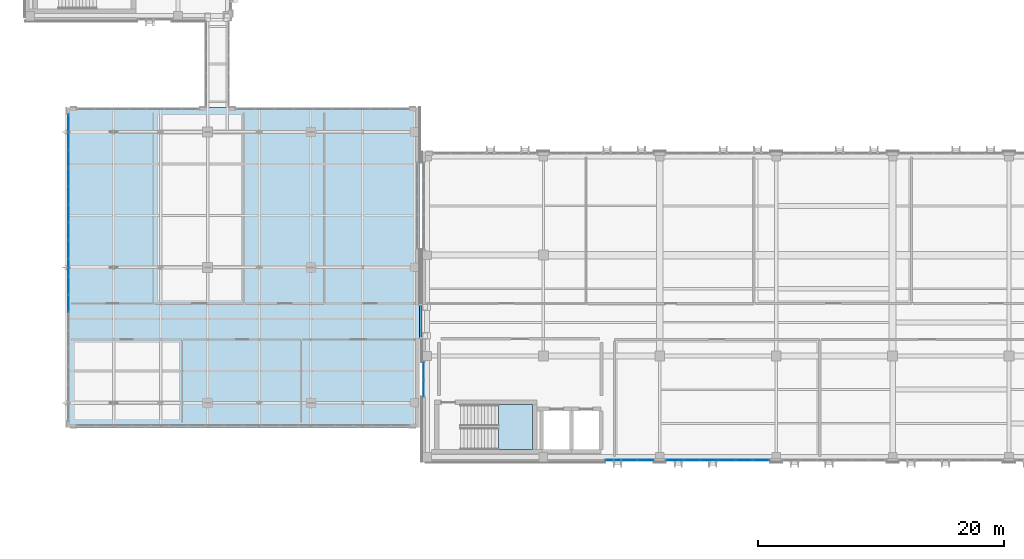
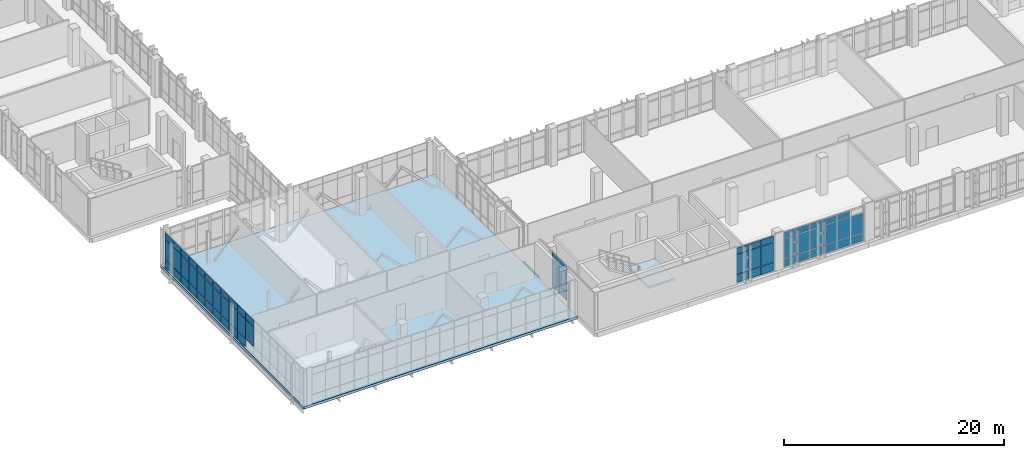
# One storey, part 113 of 165: 64 plates, 3 slabs, 5 elements without a shape of their own.
"""IFC4 building model written with IfcOpenShell, lengths in metres."""

import ifcopenshell
import ifcopenshell.guid

model = None  # the IFC model being written
_history = None  # IfcOwnerHistory: only IFC2X3 demands one
_inside = {}  # id of a spatial element -> (the spatial element, [elements in it])
_under = {}  # id of a project, library or spatial element -> (it, [spatial elements below it])
_declared = {}  # id of a project -> (the project, [libraries it declares])
_typed = {}  # id of a type object -> (the type object, [elements of that type])
_made_of = {}  # id of a material, layer set ... -> (it, [elements and type objects made of it])


def new_model(schema):
    """Start an empty IFC model of exactly this schema.

    Asked for "IFC4X3", IfcOpenShell would pick the latest addendum, in which some entities
    have other attributes; the version numbers below select the first issue.
    IFC2X3 requires an IfcOwnerHistory on every rooted entity: one is made here for all.
    """
    global model, _history
    if schema == "IFC4X3":
        model = ifcopenshell.file(schema_version=(4, 3, 0, 0))
    else:
        model = ifcopenshell.file(schema=schema)
    _inside.clear()
    _under.clear()
    _declared.clear()
    _typed.clear()
    _made_of.clear()
    _history = None
    if model.schema == "IFC2X3":
        org = make("IfcOrganization", Name="unknown")
        user = make(
            "IfcPersonAndOrganization",
            ThePerson=make("IfcPerson", FamilyName="unknown"),
            TheOrganization=org,
        )
        app = make(
            "IfcApplication",
            ApplicationDeveloper=org,
            Version="unknown",
            ApplicationFullName="unknown",
            ApplicationIdentifier="unknown",
        )
        _history = make(
            "IfcOwnerHistory",
            OwningUser=user,
            OwningApplication=app,
            ChangeAction="ADDED",
            CreationDate=0,
        )
    return model


def make(cls, **values):
    """One entity of the class cls with the attributes given. An attribute that is None is left unset."""
    return model.create_entity(
        cls, **{name: value for name, value in values.items() if value is not None}
    )


def rooted(cls, **values):
    """An entity with a GlobalId (a new one), such as an element, a storey or a relation."""
    return make(cls, GlobalId=ifcopenshell.guid.new(), OwnerHistory=_history, **values)


def si_unit(unit_type, name, prefix=None):
    """IfcSIUnit, for example si_unit("LENGTHUNIT", "METRE", prefix="MILLI")."""
    return make("IfcSIUnit", UnitType=unit_type, Prefix=prefix, Name=name)


def assignment(units):
    """IfcUnitAssignment: the units of a project."""
    return None if units is None else make("IfcUnitAssignment", Units=units)


def point(xyz):
    """IfcCartesianPoint."""
    return None if xyz is None else make("IfcCartesianPoint", Coordinates=xyz)


def direction(xyz):
    """IfcDirection."""
    return None if xyz is None else make("IfcDirection", DirectionRatios=xyz)


def frame(location, z_axis=None, x_axis=None):
    """IfcAxis2Placement3D, a coordinate frame: its origin and axes. An axis left out is left unset."""
    return make(
        "IfcAxis2Placement3D",
        Location=point(location),
        Axis=direction(z_axis),
        RefDirection=direction(x_axis),
    )


def frame_2d(location, x_axis=None):
    """IfcAxis2Placement2D, a coordinate frame in the plane: its origin and x axis."""
    return make(
        "IfcAxis2Placement2D", Location=point(location), RefDirection=direction(x_axis)
    )


def origin():
    """The frame at (0, 0, 0) with its axes left unset."""
    return frame((0.0, 0.0, 0.0))


def origin_2d():
    """The frame at (0, 0) in the plane with its x axis left unset."""
    return frame_2d((0.0, 0.0))


def place(relative_to, where):
    """IfcLocalPlacement: puts the frame where relative to a parent placement (None: the world)."""
    return make(
        "IfcLocalPlacement", PlacementRelTo=relative_to, RelativePlacement=where
    )


def context(
    kind, dimensions, precision=None, world=None, true_north=None, identifier=None
):
    """IfcGeometricRepresentationContext, for example the 3D "Model" context."""
    return make(
        "IfcGeometricRepresentationContext",
        ContextIdentifier=identifier,
        ContextType=kind,
        CoordinateSpaceDimension=dimensions,
        Precision=precision,
        WorldCoordinateSystem=world,
        TrueNorth=true_north,
    )


def subcontext(parent, identifier, kind, view, scale=None):
    """IfcGeometricRepresentationSubContext, for example "Body" below "Model"."""
    return make(
        "IfcGeometricRepresentationSubContext",
        ContextIdentifier=identifier,
        ContextType=kind,
        ParentContext=parent,
        TargetScale=scale,
        TargetView=view,
    )


def project(units=None, contexts=None):
    """IfcProject with its units and contexts."""
    return rooted(
        "IfcProject",
        Name="project",
        RepresentationContexts=contexts,
        UnitsInContext=assignment(units),
    )


def spatial(cls, under=None, at=None, **own):
    """A site, building, storey or space (cls), placed at a placement, below another one or the project."""
    s = rooted(cls, ObjectPlacement=at, **own)
    if under is not None:
        _under.setdefault(under.id(), (under, []))[1].append(s)
    return s


def polyline(points):
    """IfcPolyline through the points."""
    return make("IfcPolyline", Points=[point(p) for p in points])


def profile(cls, at=None, kind="AREA", **sizes):
    """A parametric profile (cls). Its sizes go by their IFC names, for example OverallWidth=200.0."""
    return make(cls, ProfileType=kind, Position=at, **sizes)


def rectangle(**sizes):
    """IfcRectangleProfileDef."""
    return profile("IfcRectangleProfileDef", **sizes)


def outline(outer, holes=None, kind="AREA"):
    """IfcArbitraryClosedProfileDef: a profile drawn as a closed curve; with holes, ...WithVoids."""
    if holes is None:
        return make("IfcArbitraryClosedProfileDef", ProfileType=kind, OuterCurve=outer)
    return make(
        "IfcArbitraryProfileDefWithVoids",
        ProfileType=kind,
        OuterCurve=outer,
        InnerCurves=holes,
    )


def extrude(swept, where, along, depth):
    """IfcExtrudedAreaSolid: the profile swept, set in the frame where, extruded along a direction by depth."""
    return make(
        "IfcExtrudedAreaSolid",
        SweptArea=swept,
        Position=where,
        ExtrudedDirection=direction(along),
        Depth=depth,
    )


def shape(context_of_items, identifier, shape_type, items):
    """IfcShapeRepresentation: the items that make up one representation, for example the "Body"."""
    return make(
        "IfcShapeRepresentation",
        ContextOfItems=context_of_items,
        RepresentationIdentifier=identifier,
        RepresentationType=shape_type,
        Items=items,
    )


def material(Name=None, Category=None):
    """IfcMaterial."""
    return make("IfcMaterial", Name=Name, Category=Category)


def layer(
    of_material, thickness, ventilated=None, Name=None, Category=None, Priority=None
):
    """IfcMaterialLayer: one layer of a wall or slab, of a material (None: an air gap)."""
    return make(
        "IfcMaterialLayer",
        Material=of_material,
        LayerThickness=thickness,
        IsVentilated=ventilated,
        Name=Name,
        Category=Category,
        Priority=Priority,
    )


def layer_set(layers, Name=None):
    """IfcMaterialLayerSet."""
    return make("IfcMaterialLayerSet", MaterialLayers=layers, LayerSetName=Name)


def made_of(thing, what):
    """Note that an element or type object is made of a material, layer set ...; save() writes the relation."""
    if what is not None:
        _made_of.setdefault(what.id(), (what, []))[1].append(thing)
    return thing


def type_object(cls, material=None, **own):
    """A type object (cls), such as IfcWallType, which elements share."""
    return made_of(rooted(cls, **own), material)


def element(
    cls,
    number,
    at=None,
    inside=None,
    cuts=None,
    type_object=None,
    material=None,
    context=None,
    identifier="Body",
    shape_type=None,
    held_by="IfcProductDefinitionShape",
    body=None,
    shapes=None,
    **own,
):
    """One element of the class cls, such as IfcWall. Its Tag is "e" and its number.

    at: its placement. inside: the storey or other place that contains it. cuts: it is an
    opening in that element (IfcRelVoidsElement). A single representation is given by context,
    identifier, shape_type and body (its items); several are given by shapes. held_by: the class
    of the entity that holds the representations. save() writes the other relations.
    """
    e = rooted(cls, Tag="e%d" % number, ObjectPlacement=at, **own)
    if body is not None:
        shapes = [shape(context, identifier, shape_type, body)]
    if shapes is not None:
        e.Representation = make(held_by, Representations=shapes)
    if inside is not None:
        _inside.setdefault(inside.id(), (inside, []))[1].append(e)
    if cuts is not None:
        rooted(
            "IfcRelVoidsElement", RelatingBuildingElement=cuts, RelatedOpeningElement=e
        )
    if type_object is not None:
        _typed.setdefault(type_object.id(), (type_object, []))[1].append(e)
    return made_of(e, material)


def aggregate(whole, parts):
    """IfcRelAggregates: a whole, such as a stair, and the parts it consists of."""
    return rooted("IfcRelAggregates", RelatingObject=whole, RelatedObjects=parts)


def save(model, path):
    """Write the relations noted so far, then the file.

    IfcRelAggregates (storeys below a building ...), IfcRelContainedInSpatialStructure (elements
    in a storey), IfcRelDefinesByType, IfcRelAssociatesMaterial and IfcRelDeclares: one each for
    every whole, place, type object, material and project.
    """
    for whole, parts in _under.values():
        aggregate(whole, parts)
    for where, things in _inside.values():
        rooted(
            "IfcRelContainedInSpatialStructure",
            RelatedElements=things,
            RelatingStructure=where,
        )
    for kind, things in _typed.values():
        rooted("IfcRelDefinesByType", RelatedObjects=things, RelatingType=kind)
    for what, things in _made_of.values():
        rooted("IfcRelAssociatesMaterial", RelatedObjects=things, RelatingMaterial=what)
    for by, libraries in _declared.values():
        rooted("IfcRelDeclares", RelatingContext=by, RelatedDefinitions=libraries)
    model.write(path)


model = new_model("IFC4")

# Units and contexts
model_context = context("Model", 3, precision=1e-05, world=origin(), true_north=direction((0.0, 1.0)))
body_context = subcontext(model_context, "Body", "Model", "MODEL_VIEW")
ifc_project = project(units=[si_unit("LENGTHUNIT", "METRE"), si_unit("AREAUNIT", "SQUARE_METRE"), si_unit("VOLUMEUNIT", "CUBIC_METRE"), si_unit("PLANEANGLEUNIT", "RADIAN"), si_unit("MASSUNIT", "GRAM", prefix="KILO")], contexts=[model_context])

# Site, building, storey
site_placement = place(None, origin())
site = spatial("IfcSite", under=ifc_project, at=site_placement, CompositionType="ELEMENT")
building_placement = place(site_placement, origin())
building = spatial("IfcBuilding", under=site, at=building_placement, Name="Qalavern Law Courts", CompositionType="ELEMENT")
storey_placement = place(building_placement, frame((0.0, 0.0, 14.39990234375)))
storey = spatial("IfcBuildingStorey", under=building, at=storey_placement, Name="L03", CompositionType="ELEMENT", Elevation=14.39990234375)

# Curtain wall, plates
ifc_material_1 = material(Name="Anodised aluminium and insulated glazing", Category="aluminium")
ifc_layer_1 = layer(ifc_material_1, 0.18505859375)
ifc_layer_set_1 = layer_set([ifc_layer_1], Name="Anodised aluminium and insulated glazing")
curtain_wall_type_1 = type_object("IfcCurtainWallType", Name="ENV-CW-HALL", PredefinedType="USERDEFINED", material=ifc_layer_set_1)
curtain_wall_1_placement = place(storey_placement, origin())
curtain_wall_1 = element("IfcCurtainWall", 1, at=curtain_wall_1_placement, inside=storey, type_object=curtain_wall_type_1, Name="V2 unitised curtain wall L03 south 2", ObjectType="UNITISED CURTAIN WALL", PredefinedType="USERDEFINED")
ifc_material_2 = material(Name="Insulated low-E acoustic glazing", Category="glass")
ifc_layer_2 = layer(ifc_material_2, 0.02392578125)
ifc_layer_set_2 = layer_set([ifc_layer_2], Name="Insulated low-E acoustic glazing")
plate_type_1 = type_object("IfcPlateType", Name="ENV-CWP-24", PredefinedType="CURTAIN_PANEL", material=ifc_layer_set_2)
plate_1_placement = place(storey_placement, frame((54.7451171875, 5.347412109375, 0.048095703125), z_axis=(0.0, 0.0, 1.0), x_axis=(1.0, 0.0, 0.0)))
plate_1 = element("IfcPlate", 2, at=plate_1_placement, type_object=plate_type_1, Name="CW-02 panel 1.1", PredefinedType="CURTAIN_PANEL", context=body_context, shape_type="SweptSolid", body=[
    extrude(rectangle(XDim=1.337158203125, YDim=0.02392578125, at=origin_2d()), origin(), (0.0, 0.0, 1.0), 0.8779296875),
])
plate_2_placement = place(storey_placement, frame((54.7451171875, 5.347412109375, 0.97412109375), z_axis=(0.0, 0.0, 1.0), x_axis=(1.0, 0.0, 0.0)))
plate_2 = element("IfcPlate", 3, at=plate_2_placement, type_object=plate_type_1, Name="CW-02 panel 1.2", PredefinedType="CURTAIN_PANEL", context=body_context, shape_type="SweptSolid", body=[
    extrude(rectangle(XDim=1.337158203125, YDim=0.02392578125, at=origin_2d()), origin(), (0.0, 0.0, 1.0), 2.172119140625),
])
plate_3_placement = place(storey_placement, frame((54.7451171875, 5.347412109375, 3.1943359375), z_axis=(0.0, 0.0, 1.0), x_axis=(1.0, 0.0, 0.0)))
plate_3 = element("IfcPlate", 4, at=plate_3_placement, type_object=plate_type_1, Name="CW-02 panel 1.3", PredefinedType="CURTAIN_PANEL", context=body_context, shape_type="SweptSolid", body=[
    extrude(rectangle(XDim=1.337158203125, YDim=0.02392578125, at=origin_2d()), origin(), (0.0, 0.0, 1.0), 0.677978515625),
])
plate_4_placement = place(storey_placement, frame((56.14208984375, 5.347412109375, 0.048095703125), z_axis=(0.0, 0.0, 1.0), x_axis=(1.0, 0.0, 0.0)))
plate_4 = element("IfcPlate", 5, at=plate_4_placement, type_object=plate_type_1, Name="CW-02 panel 2.1", PredefinedType="CURTAIN_PANEL", context=body_context, shape_type="SweptSolid", body=[
    extrude(rectangle(XDim=1.361083984375, YDim=0.02392578125, at=origin_2d()), origin(), (0.0, 0.0, 1.0), 0.8779296875),
])
plate_5_placement = place(storey_placement, frame((56.14208984375, 5.347412109375, 0.97412109375), z_axis=(0.0, 0.0, 1.0), x_axis=(1.0, 0.0, 0.0)))
plate_5 = element("IfcPlate", 6, at=plate_5_placement, type_object=plate_type_1, Name="CW-02 panel 2.2", PredefinedType="CURTAIN_PANEL", context=body_context, shape_type="SweptSolid", body=[
    extrude(rectangle(XDim=1.361083984375, YDim=0.02392578125, at=origin_2d()), origin(), (0.0, 0.0, 1.0), 2.172119140625),
])
plate_6_placement = place(storey_placement, frame((56.14208984375, 5.347412109375, 3.1943359375), z_axis=(0.0, 0.0, 1.0), x_axis=(1.0, 0.0, 0.0)))
plate_6 = element("IfcPlate", 7, at=plate_6_placement, type_object=plate_type_1, Name="CW-02 panel 2.3", PredefinedType="CURTAIN_PANEL", context=body_context, shape_type="SweptSolid", body=[
    extrude(rectangle(XDim=1.361083984375, YDim=0.02392578125, at=origin_2d()), origin(), (0.0, 0.0, 1.0), 0.677978515625),
])
plate_7_placement = place(storey_placement, frame((57.55126953125, 5.347412109375, 0.048095703125), z_axis=(0.0, 0.0, 1.0), x_axis=(1.0, 0.0, 0.0)))
plate_7 = element("IfcPlate", 8, at=plate_7_placement, type_object=plate_type_1, Name="CW-02 panel 3.1", PredefinedType="CURTAIN_PANEL", context=body_context, shape_type="SweptSolid", body=[
    extrude(rectangle(XDim=1.361083984375, YDim=0.02392578125, at=origin_2d()), origin(), (0.0, 0.0, 1.0), 0.8779296875),
])
plate_8_placement = place(storey_placement, frame((57.55126953125, 5.347412109375, 0.97412109375), z_axis=(0.0, 0.0, 1.0), x_axis=(1.0, 0.0, 0.0)))
plate_8 = element("IfcPlate", 9, at=plate_8_placement, type_object=plate_type_1, Name="CW-02 panel 3.2", PredefinedType="CURTAIN_PANEL", context=body_context, shape_type="SweptSolid", body=[
    extrude(rectangle(XDim=1.361083984375, YDim=0.02392578125, at=origin_2d()), origin(), (0.0, 0.0, 1.0), 2.172119140625),
])
plate_9_placement = place(storey_placement, frame((57.55126953125, 5.347412109375, 3.1943359375), z_axis=(0.0, 0.0, 1.0), x_axis=(1.0, 0.0, 0.0)))
plate_9 = element("IfcPlate", 10, at=plate_9_placement, type_object=plate_type_1, Name="CW-02 panel 3.3", PredefinedType="CURTAIN_PANEL", context=body_context, shape_type="SweptSolid", body=[
    extrude(rectangle(XDim=1.361083984375, YDim=0.02392578125, at=origin_2d()), origin(), (0.0, 0.0, 1.0), 0.677978515625),
])
plate_10_placement = place(storey_placement, frame((58.960205078125, 5.347412109375, 0.048095703125), z_axis=(0.0, 0.0, 1.0), x_axis=(1.0, 0.0, 0.0)))
plate_10 = element("IfcPlate", 11, at=plate_10_placement, type_object=plate_type_1, Name="CW-02 panel 4.1", PredefinedType="CURTAIN_PANEL", context=body_context, shape_type="SweptSolid", body=[
    extrude(rectangle(XDim=1.361083984375, YDim=0.02392578125, at=origin_2d()), origin(), (0.0, 0.0, 1.0), 0.8779296875),
])
plate_11_placement = place(storey_placement, frame((58.960205078125, 5.347412109375, 0.97412109375), z_axis=(0.0, 0.0, 1.0), x_axis=(1.0, 0.0, 0.0)))
plate_11 = element("IfcPlate", 12, at=plate_11_placement, type_object=plate_type_1, Name="CW-02 panel 4.2", PredefinedType="CURTAIN_PANEL", context=body_context, shape_type="SweptSolid", body=[
    extrude(rectangle(XDim=1.361083984375, YDim=0.02392578125, at=origin_2d()), origin(), (0.0, 0.0, 1.0), 2.172119140625),
])
plate_12_placement = place(storey_placement, frame((58.960205078125, 5.347412109375, 3.1943359375), z_axis=(0.0, 0.0, 1.0), x_axis=(1.0, 0.0, 0.0)))
plate_12 = element("IfcPlate", 13, at=plate_12_placement, type_object=plate_type_1, Name="CW-02 panel 4.3", PredefinedType="CURTAIN_PANEL", context=body_context, shape_type="SweptSolid", body=[
    extrude(rectangle(XDim=1.361083984375, YDim=0.02392578125, at=origin_2d()), origin(), (0.0, 0.0, 1.0), 0.677978515625),
])
plate_13_placement = place(storey_placement, frame((60.369384765625, 5.347412109375, 0.048095703125), z_axis=(0.0, 0.0, 1.0), x_axis=(1.0, 0.0, 0.0)))
plate_13 = element("IfcPlate", 14, at=plate_13_placement, type_object=plate_type_1, Name="CW-02 panel 5.1", PredefinedType="CURTAIN_PANEL", context=body_context, shape_type="SweptSolid", body=[
    extrude(rectangle(XDim=1.361083984375, YDim=0.02392578125, at=origin_2d()), origin(), (0.0, 0.0, 1.0), 0.8779296875),
])
plate_14_placement = place(storey_placement, frame((60.369384765625, 5.347412109375, 0.97412109375), z_axis=(0.0, 0.0, 1.0), x_axis=(1.0, 0.0, 0.0)))
plate_14 = element("IfcPlate", 15, at=plate_14_placement, type_object=plate_type_1, Name="CW-02 panel 5.2", PredefinedType="CURTAIN_PANEL", context=body_context, shape_type="SweptSolid", body=[
    extrude(rectangle(XDim=1.361083984375, YDim=0.02392578125, at=origin_2d()), origin(), (0.0, 0.0, 1.0), 2.172119140625),
])
plate_15_placement = place(storey_placement, frame((60.369384765625, 5.347412109375, 3.1943359375), z_axis=(0.0, 0.0, 1.0), x_axis=(1.0, 0.0, 0.0)))
plate_15 = element("IfcPlate", 16, at=plate_15_placement, type_object=plate_type_1, Name="CW-02 panel 5.3", PredefinedType="CURTAIN_PANEL", context=body_context, shape_type="SweptSolid", body=[
    extrude(rectangle(XDim=1.361083984375, YDim=0.02392578125, at=origin_2d()), origin(), (0.0, 0.0, 1.0), 0.677978515625),
])
plate_16_placement = place(storey_placement, frame((61.766357421875, 5.347412109375, 0.048095703125), z_axis=(0.0, 0.0, 1.0), x_axis=(1.0, 0.0, 0.0)))
plate_16 = element("IfcPlate", 17, at=plate_16_placement, type_object=plate_type_1, Name="CW-02 panel 6.1", PredefinedType="CURTAIN_PANEL", context=body_context, shape_type="SweptSolid", body=[
    extrude(rectangle(XDim=1.337158203125, YDim=0.02392578125, at=origin_2d()), origin(), (0.0, 0.0, 1.0), 0.8779296875),
])
plate_17_placement = place(storey_placement, frame((61.766357421875, 5.347412109375, 0.97412109375), z_axis=(0.0, 0.0, 1.0), x_axis=(1.0, 0.0, 0.0)))
plate_17 = element("IfcPlate", 18, at=plate_17_placement, type_object=plate_type_1, Name="CW-02 panel 6.2", PredefinedType="CURTAIN_PANEL", context=body_context, shape_type="SweptSolid", body=[
    extrude(rectangle(XDim=1.337158203125, YDim=0.02392578125, at=origin_2d()), origin(), (0.0, 0.0, 1.0), 2.172119140625),
])
aggregate(curtain_wall_1, [plate_1, plate_2, plate_3, plate_4, plate_5, plate_6, plate_7, plate_8, plate_9, plate_10, plate_11, plate_12, plate_13, plate_14, plate_15, plate_16, plate_17])

curtain_wall_2_placement = place(storey_placement, origin())
curtain_wall_2 = element("IfcCurtainWall", 19, at=curtain_wall_2_placement, inside=storey, type_object=curtain_wall_type_1, Name="V2 unitised curtain wall L03 west 1", ObjectType="UNITISED CURTAIN WALL", PredefinedType="USERDEFINED")
plate_18_placement = place(storey_placement, frame((34.367431640625, 12.587890625, 0.048095703125), z_axis=(0.0, 0.0, 1.0), x_axis=(0.0, -1.0, 0.0)))
plate_18 = element("IfcPlate", 20, at=plate_18_placement, type_object=plate_type_1, Name="CW-02 panel 1.1", PredefinedType="CURTAIN_PANEL", context=body_context, shape_type="SweptSolid", body=[
    extrude(rectangle(XDim=1.327880859375, YDim=0.02392578125, at=origin_2d()), origin(), (0.0, 0.0, 1.0), 0.8779296875),
])
plate_19_placement = place(storey_placement, frame((34.367431640625, 12.587890625, 0.97412109375), z_axis=(0.0, 0.0, 1.0), x_axis=(0.0, -1.0, 0.0)))
plate_19 = element("IfcPlate", 21, at=plate_19_placement, type_object=plate_type_1, Name="CW-02 panel 1.2", PredefinedType="CURTAIN_PANEL", context=body_context, shape_type="SweptSolid", body=[
    extrude(rectangle(XDim=1.327880859375, YDim=0.02392578125, at=origin_2d()), origin(), (0.0, 0.0, 1.0), 2.172119140625),
])
plate_20_placement = place(storey_placement, frame((34.367431640625, 12.587890625, 3.1943359375), z_axis=(0.0, 0.0, 1.0), x_axis=(0.0, -1.0, 0.0)))
plate_20 = element("IfcPlate", 22, at=plate_20_placement, type_object=plate_type_1, Name="CW-02 panel 1.3", PredefinedType="CURTAIN_PANEL", context=body_context, shape_type="SweptSolid", body=[
    extrude(rectangle(XDim=1.327880859375, YDim=0.02392578125, at=origin_2d()), origin(), (0.0, 0.0, 1.0), 0.677978515625),
])
plate_21_placement = place(storey_placement, frame((34.367431640625, 11.2119140625, 0.048095703125), z_axis=(0.0, 0.0, 1.0), x_axis=(0.0, -1.0, 0.0)))
plate_21 = element("IfcPlate", 23, at=plate_21_placement, type_object=plate_type_1, Name="CW-02 panel 2.1", PredefinedType="CURTAIN_PANEL", context=body_context, shape_type="SweptSolid", body=[
    extrude(rectangle(XDim=1.327880859375, YDim=0.02392578125, at=origin_2d()), origin(), (0.0, 0.0, 1.0), 0.8779296875),
])
plate_22_placement = place(storey_placement, frame((34.367431640625, 11.2119140625, 0.97412109375), z_axis=(0.0, 0.0, 1.0), x_axis=(0.0, -1.0, 0.0)))
plate_22 = element("IfcPlate", 24, at=plate_22_placement, type_object=plate_type_1, Name="CW-02 panel 2.2", PredefinedType="CURTAIN_PANEL", context=body_context, shape_type="SweptSolid", body=[
    extrude(rectangle(XDim=1.327880859375, YDim=0.02392578125, at=origin_2d()), origin(), (0.0, 0.0, 1.0), 2.172119140625),
])
plate_23_placement = place(storey_placement, frame((34.367431640625, 11.2119140625, 3.1943359375), z_axis=(0.0, 0.0, 1.0), x_axis=(0.0, -1.0, 0.0)))
plate_23 = element("IfcPlate", 25, at=plate_23_placement, type_object=plate_type_1, Name="CW-02 panel 2.3", PredefinedType="CURTAIN_PANEL", context=body_context, shape_type="SweptSolid", body=[
    extrude(rectangle(XDim=1.327880859375, YDim=0.02392578125, at=origin_2d()), origin(), (0.0, 0.0, 1.0), 0.677978515625),
])
aggregate(curtain_wall_2, [plate_18, plate_19, plate_20, plate_21, plate_22, plate_23])

ifc_layer_3 = layer(ifc_material_1, 0.199951171875)
ifc_layer_set_3 = layer_set([ifc_layer_3], Name="Anodised aluminium and insulated glazing")
curtain_wall_type_2 = type_object("IfcCurtainWallType", Name="ENV-CW-FOYER", PredefinedType="USERDEFINED", material=ifc_layer_set_3)
curtain_wall_3_placement = place(storey_placement, origin())
curtain_wall_3 = element("IfcCurtainWall", 26, at=curtain_wall_3_placement, inside=storey, type_object=curtain_wall_type_2, Name="V1 unitised curtain wall L03 west 1", ObjectType="UNITISED CURTAIN WALL", PredefinedType="USERDEFINED")
ifc_layer_4 = layer(ifc_material_2, 0.052001953125)
ifc_layer_set_4 = layer_set([ifc_layer_4], Name="Insulated low-E acoustic glazing")
plate_type_2 = type_object("IfcPlateType", Name="ENV-CWP-52", PredefinedType="CURTAIN_PANEL", material=ifc_layer_set_4)
plate_24_placement = place(storey_placement, frame((5.49755859375, 32.70556640625, 0.048095703125), z_axis=(0.0, 0.0, 1.0), x_axis=(0.0, -1.0, 0.0)))
plate_24 = element("IfcPlate", 27, at=plate_24_placement, type_object=plate_type_2, Name="CW-01 panel 1.1", PredefinedType="CURTAIN_PANEL", context=body_context, shape_type="SweptSolid", body=[
    extrude(rectangle(XDim=1.392822265625, YDim=0.052001953125, at=origin_2d()), origin(), (0.0, 0.0, 1.0), 0.8779296875),
])
plate_25_placement = place(storey_placement, frame((5.49755859375, 32.70556640625, 0.97412109375), z_axis=(0.0, 0.0, 1.0), x_axis=(0.0, -1.0, 0.0)))
plate_25 = element("IfcPlate", 28, at=plate_25_placement, type_object=plate_type_2, Name="CW-01 panel 1.2", PredefinedType="CURTAIN_PANEL", context=body_context, shape_type="SweptSolid", body=[
    extrude(rectangle(XDim=1.392822265625, YDim=0.052001953125, at=origin_2d()), origin(), (0.0, 0.0, 1.0), 2.172119140625),
])
plate_26_placement = place(storey_placement, frame((5.49755859375, 32.70556640625, 3.1943359375), z_axis=(0.0, 0.0, 1.0), x_axis=(0.0, -1.0, 0.0)))
plate_26 = element("IfcPlate", 29, at=plate_26_placement, type_object=plate_type_2, Name="CW-01 panel 1.3", PredefinedType="CURTAIN_PANEL", context=body_context, shape_type="SweptSolid", body=[
    extrude(rectangle(XDim=1.392822265625, YDim=0.052001953125, at=origin_2d()), origin(), (0.0, 0.0, 1.0), 0.677978515625),
])
plate_27_placement = place(storey_placement, frame((5.49755859375, 31.2529296875, 0.048095703125), z_axis=(0.0, 0.0, 1.0), x_axis=(0.0, -1.0, 0.0)))
plate_27 = element("IfcPlate", 30, at=plate_27_placement, type_object=plate_type_2, Name="CW-01 panel 2.1", PredefinedType="CURTAIN_PANEL", context=body_context, shape_type="SweptSolid", body=[
    extrude(rectangle(XDim=1.416748046875, YDim=0.052001953125, at=origin_2d()), origin(), (0.0, 0.0, 1.0), 0.8779296875),
])
plate_28_placement = place(storey_placement, frame((5.49755859375, 31.2529296875, 0.97412109375), z_axis=(0.0, 0.0, 1.0), x_axis=(0.0, -1.0, 0.0)))
plate_28 = element("IfcPlate", 31, at=plate_28_placement, type_object=plate_type_2, Name="CW-01 panel 2.2", PredefinedType="CURTAIN_PANEL", context=body_context, shape_type="SweptSolid", body=[
    extrude(rectangle(XDim=1.416748046875, YDim=0.052001953125, at=origin_2d()), origin(), (0.0, 0.0, 1.0), 2.172119140625),
])
plate_29_placement = place(storey_placement, frame((5.49755859375, 31.2529296875, 3.1943359375), z_axis=(0.0, 0.0, 1.0), x_axis=(0.0, -1.0, 0.0)))
plate_29 = element("IfcPlate", 32, at=plate_29_placement, type_object=plate_type_2, Name="CW-01 panel 2.3", PredefinedType="CURTAIN_PANEL", context=body_context, shape_type="SweptSolid", body=[
    extrude(rectangle(XDim=1.416748046875, YDim=0.052001953125, at=origin_2d()), origin(), (0.0, 0.0, 1.0), 0.677978515625),
])
plate_30_placement = place(storey_placement, frame((5.49755859375, 29.788330078125, 0.048095703125), z_axis=(0.0, 0.0, 1.0), x_axis=(0.0, -1.0, 0.0)))
plate_30 = element("IfcPlate", 33, at=plate_30_placement, type_object=plate_type_2, Name="CW-01 panel 3.1", PredefinedType="CURTAIN_PANEL", context=body_context, shape_type="SweptSolid", body=[
    extrude(rectangle(XDim=1.416748046875, YDim=0.052001953125, at=origin_2d()), origin(), (0.0, 0.0, 1.0), 0.8779296875),
])
plate_31_placement = place(storey_placement, frame((5.49755859375, 29.788330078125, 0.97412109375), z_axis=(0.0, 0.0, 1.0), x_axis=(0.0, -1.0, 0.0)))
plate_31 = element("IfcPlate", 34, at=plate_31_placement, type_object=plate_type_2, Name="CW-01 panel 3.2", PredefinedType="CURTAIN_PANEL", context=body_context, shape_type="SweptSolid", body=[
    extrude(rectangle(XDim=1.416748046875, YDim=0.052001953125, at=origin_2d()), origin(), (0.0, 0.0, 1.0), 2.172119140625),
])
plate_32_placement = place(storey_placement, frame((5.49755859375, 29.788330078125, 3.1943359375), z_axis=(0.0, 0.0, 1.0), x_axis=(0.0, -1.0, 0.0)))
plate_32 = element("IfcPlate", 35, at=plate_32_placement, type_object=plate_type_2, Name="CW-01 panel 3.3", PredefinedType="CURTAIN_PANEL", context=body_context, shape_type="SweptSolid", body=[
    extrude(rectangle(XDim=1.416748046875, YDim=0.052001953125, at=origin_2d()), origin(), (0.0, 0.0, 1.0), 0.677978515625),
])
plate_33_placement = place(storey_placement, frame((5.49755859375, 28.323486328125, 0.048095703125), z_axis=(0.0, 0.0, 1.0), x_axis=(0.0, -1.0, 0.0)))
plate_33 = element("IfcPlate", 36, at=plate_33_placement, type_object=plate_type_2, Name="CW-01 panel 4.1", PredefinedType="CURTAIN_PANEL", context=body_context, shape_type="SweptSolid", body=[
    extrude(rectangle(XDim=1.416748046875, YDim=0.052001953125, at=origin_2d()), origin(), (0.0, 0.0, 1.0), 0.8779296875),
])
plate_34_placement = place(storey_placement, frame((5.49755859375, 28.323486328125, 0.97412109375), z_axis=(0.0, 0.0, 1.0), x_axis=(0.0, -1.0, 0.0)))
plate_34 = element("IfcPlate", 37, at=plate_34_placement, type_object=plate_type_2, Name="CW-01 panel 4.2", PredefinedType="CURTAIN_PANEL", context=body_context, shape_type="SweptSolid", body=[
    extrude(rectangle(XDim=1.416748046875, YDim=0.052001953125, at=origin_2d()), origin(), (0.0, 0.0, 1.0), 2.172119140625),
])
plate_35_placement = place(storey_placement, frame((5.49755859375, 28.323486328125, 3.1943359375), z_axis=(0.0, 0.0, 1.0), x_axis=(0.0, -1.0, 0.0)))
plate_35 = element("IfcPlate", 38, at=plate_35_placement, type_object=plate_type_2, Name="CW-01 panel 4.3", PredefinedType="CURTAIN_PANEL", context=body_context, shape_type="SweptSolid", body=[
    extrude(rectangle(XDim=1.416748046875, YDim=0.052001953125, at=origin_2d()), origin(), (0.0, 0.0, 1.0), 0.677978515625),
])
plate_36_placement = place(storey_placement, frame((5.49755859375, 26.85888671875, 0.048095703125), z_axis=(0.0, 0.0, 1.0), x_axis=(0.0, -1.0, 0.0)))
plate_36 = element("IfcPlate", 39, at=plate_36_placement, type_object=plate_type_2, Name="CW-01 panel 5.1", PredefinedType="CURTAIN_PANEL", context=body_context, shape_type="SweptSolid", body=[
    extrude(rectangle(XDim=1.416748046875, YDim=0.052001953125, at=origin_2d()), origin(), (0.0, 0.0, 1.0), 0.8779296875),
])
plate_37_placement = place(storey_placement, frame((5.49755859375, 26.85888671875, 0.97412109375), z_axis=(0.0, 0.0, 1.0), x_axis=(0.0, -1.0, 0.0)))
plate_37 = element("IfcPlate", 40, at=plate_37_placement, type_object=plate_type_2, Name="CW-01 panel 5.2", PredefinedType="CURTAIN_PANEL", context=body_context, shape_type="SweptSolid", body=[
    extrude(rectangle(XDim=1.416748046875, YDim=0.052001953125, at=origin_2d()), origin(), (0.0, 0.0, 1.0), 2.172119140625),
])
plate_38_placement = place(storey_placement, frame((5.49755859375, 26.85888671875, 3.1943359375), z_axis=(0.0, 0.0, 1.0), x_axis=(0.0, -1.0, 0.0)))
plate_38 = element("IfcPlate", 41, at=plate_38_placement, type_object=plate_type_2, Name="CW-01 panel 5.3", PredefinedType="CURTAIN_PANEL", context=body_context, shape_type="SweptSolid", body=[
    extrude(rectangle(XDim=1.416748046875, YDim=0.052001953125, at=origin_2d()), origin(), (0.0, 0.0, 1.0), 0.677978515625),
])
plate_39_placement = place(storey_placement, frame((5.49755859375, 25.39404296875, 0.048095703125), z_axis=(0.0, 0.0, 1.0), x_axis=(0.0, -1.0, 0.0)))
plate_39 = element("IfcPlate", 42, at=plate_39_placement, type_object=plate_type_2, Name="CW-01 panel 6.1", PredefinedType="CURTAIN_PANEL", context=body_context, shape_type="SweptSolid", body=[
    extrude(rectangle(XDim=1.416748046875, YDim=0.052001953125, at=origin_2d()), origin(), (0.0, 0.0, 1.0), 0.8779296875),
])
plate_40_placement = place(storey_placement, frame((5.49755859375, 25.39404296875, 0.97412109375), z_axis=(0.0, 0.0, 1.0), x_axis=(0.0, -1.0, 0.0)))
plate_40 = element("IfcPlate", 43, at=plate_40_placement, type_object=plate_type_2, Name="CW-01 panel 6.2", PredefinedType="CURTAIN_PANEL", context=body_context, shape_type="SweptSolid", body=[
    extrude(rectangle(XDim=1.416748046875, YDim=0.052001953125, at=origin_2d()), origin(), (0.0, 0.0, 1.0), 2.172119140625),
])
plate_41_placement = place(storey_placement, frame((5.49755859375, 25.39404296875, 3.1943359375), z_axis=(0.0, 0.0, 1.0), x_axis=(0.0, -1.0, 0.0)))
plate_41 = element("IfcPlate", 44, at=plate_41_placement, type_object=plate_type_2, Name="CW-01 panel 6.3", PredefinedType="CURTAIN_PANEL", context=body_context, shape_type="SweptSolid", body=[
    extrude(rectangle(XDim=1.416748046875, YDim=0.052001953125, at=origin_2d()), origin(), (0.0, 0.0, 1.0), 0.677978515625),
])
plate_42_placement = place(storey_placement, frame((5.49755859375, 23.929443359375, 0.048095703125), z_axis=(0.0, 0.0, 1.0), x_axis=(0.0, -1.0, 0.0)))
plate_42 = element("IfcPlate", 45, at=plate_42_placement, type_object=plate_type_2, Name="CW-01 panel 7.1", PredefinedType="CURTAIN_PANEL", context=body_context, shape_type="SweptSolid", body=[
    extrude(rectangle(XDim=1.416748046875, YDim=0.052001953125, at=origin_2d()), origin(), (0.0, 0.0, 1.0), 0.8779296875),
])
plate_43_placement = place(storey_placement, frame((5.49755859375, 23.929443359375, 0.97412109375), z_axis=(0.0, 0.0, 1.0), x_axis=(0.0, -1.0, 0.0)))
plate_43 = element("IfcPlate", 46, at=plate_43_placement, type_object=plate_type_2, Name="CW-01 panel 7.2", PredefinedType="CURTAIN_PANEL", context=body_context, shape_type="SweptSolid", body=[
    extrude(rectangle(XDim=1.416748046875, YDim=0.052001953125, at=origin_2d()), origin(), (0.0, 0.0, 1.0), 2.172119140625),
])
plate_44_placement = place(storey_placement, frame((5.49755859375, 23.929443359375, 3.1943359375), z_axis=(0.0, 0.0, 1.0), x_axis=(0.0, -1.0, 0.0)))
plate_44 = element("IfcPlate", 47, at=plate_44_placement, type_object=plate_type_2, Name="CW-01 panel 7.3", PredefinedType="CURTAIN_PANEL", context=body_context, shape_type="SweptSolid", body=[
    extrude(rectangle(XDim=1.416748046875, YDim=0.052001953125, at=origin_2d()), origin(), (0.0, 0.0, 1.0), 0.677978515625),
])
plate_45_placement = place(storey_placement, frame((5.49755859375, 22.464599609375, 0.048095703125), z_axis=(0.0, 0.0, 1.0), x_axis=(0.0, -1.0, 0.0)))
plate_45 = element("IfcPlate", 48, at=plate_45_placement, type_object=plate_type_2, Name="CW-01 panel 8.1", PredefinedType="CURTAIN_PANEL", context=body_context, shape_type="SweptSolid", body=[
    extrude(rectangle(XDim=1.416748046875, YDim=0.052001953125, at=origin_2d()), origin(), (0.0, 0.0, 1.0), 0.8779296875),
])
plate_46_placement = place(storey_placement, frame((5.49755859375, 22.464599609375, 0.97412109375), z_axis=(0.0, 0.0, 1.0), x_axis=(0.0, -1.0, 0.0)))
plate_46 = element("IfcPlate", 49, at=plate_46_placement, type_object=plate_type_2, Name="CW-01 panel 8.2", PredefinedType="CURTAIN_PANEL", context=body_context, shape_type="SweptSolid", body=[
    extrude(rectangle(XDim=1.416748046875, YDim=0.052001953125, at=origin_2d()), origin(), (0.0, 0.0, 1.0), 2.172119140625),
])
plate_47_placement = place(storey_placement, frame((5.49755859375, 22.464599609375, 3.1943359375), z_axis=(0.0, 0.0, 1.0), x_axis=(0.0, -1.0, 0.0)))
plate_47 = element("IfcPlate", 50, at=plate_47_placement, type_object=plate_type_2, Name="CW-01 panel 8.3", PredefinedType="CURTAIN_PANEL", context=body_context, shape_type="SweptSolid", body=[
    extrude(rectangle(XDim=1.416748046875, YDim=0.052001953125, at=origin_2d()), origin(), (0.0, 0.0, 1.0), 0.677978515625),
])
plate_48_placement = place(storey_placement, frame((5.49755859375, 21.0, 0.048095703125), z_axis=(0.0, 0.0, 1.0), x_axis=(0.0, -1.0, 0.0)))
plate_48 = element("IfcPlate", 51, at=plate_48_placement, type_object=plate_type_2, Name="CW-01 panel 9.1", PredefinedType="CURTAIN_PANEL", context=body_context, shape_type="SweptSolid", body=[
    extrude(rectangle(XDim=1.416748046875, YDim=0.052001953125, at=origin_2d()), origin(), (0.0, 0.0, 1.0), 0.8779296875),
])
plate_49_placement = place(storey_placement, frame((5.49755859375, 21.0, 0.97412109375), z_axis=(0.0, 0.0, 1.0), x_axis=(0.0, -1.0, 0.0)))
plate_49 = element("IfcPlate", 52, at=plate_49_placement, type_object=plate_type_2, Name="CW-01 panel 9.2", PredefinedType="CURTAIN_PANEL", context=body_context, shape_type="SweptSolid", body=[
    extrude(rectangle(XDim=1.416748046875, YDim=0.052001953125, at=origin_2d()), origin(), (0.0, 0.0, 1.0), 2.172119140625),
])
plate_50_placement = place(storey_placement, frame((5.49755859375, 21.0, 3.1943359375), z_axis=(0.0, 0.0, 1.0), x_axis=(0.0, -1.0, 0.0)))
plate_50 = element("IfcPlate", 53, at=plate_50_placement, type_object=plate_type_2, Name="CW-01 panel 9.3", PredefinedType="CURTAIN_PANEL", context=body_context, shape_type="SweptSolid", body=[
    extrude(rectangle(XDim=1.416748046875, YDim=0.052001953125, at=origin_2d()), origin(), (0.0, 0.0, 1.0), 0.677978515625),
])
plate_51_placement = place(storey_placement, frame((5.49755859375, 19.535400390625, 0.048095703125), z_axis=(0.0, 0.0, 1.0), x_axis=(0.0, -1.0, 0.0)))
plate_51 = element("IfcPlate", 54, at=plate_51_placement, type_object=plate_type_2, Name="CW-01 panel 10.1", PredefinedType="CURTAIN_PANEL", context=body_context, shape_type="SweptSolid", body=[
    extrude(rectangle(XDim=1.416748046875, YDim=0.052001953125, at=origin_2d()), origin(), (0.0, 0.0, 1.0), 0.8779296875),
])
plate_52_placement = place(storey_placement, frame((5.49755859375, 19.535400390625, 0.97412109375), z_axis=(0.0, 0.0, 1.0), x_axis=(0.0, -1.0, 0.0)))
plate_52 = element("IfcPlate", 55, at=plate_52_placement, type_object=plate_type_2, Name="CW-01 panel 10.2", PredefinedType="CURTAIN_PANEL", context=body_context, shape_type="SweptSolid", body=[
    extrude(rectangle(XDim=1.416748046875, YDim=0.052001953125, at=origin_2d()), origin(), (0.0, 0.0, 1.0), 2.172119140625),
])
plate_53_placement = place(storey_placement, frame((5.49755859375, 19.535400390625, 3.1943359375), z_axis=(0.0, 0.0, 1.0), x_axis=(0.0, -1.0, 0.0)))
plate_53 = element("IfcPlate", 56, at=plate_53_placement, type_object=plate_type_2, Name="CW-01 panel 10.3", PredefinedType="CURTAIN_PANEL", context=body_context, shape_type="SweptSolid", body=[
    extrude(rectangle(XDim=1.416748046875, YDim=0.052001953125, at=origin_2d()), origin(), (0.0, 0.0, 1.0), 0.677978515625),
])
plate_54_placement = place(storey_placement, frame((5.49755859375, 18.070556640625, 0.97412109375), z_axis=(0.0, 0.0, 1.0), x_axis=(0.0, -1.0, 0.0)))
plate_54 = element("IfcPlate", 57, at=plate_54_placement, type_object=plate_type_2, Name="CW-01 panel 11.2", PredefinedType="CURTAIN_PANEL", context=body_context, shape_type="SweptSolid", body=[
    extrude(rectangle(XDim=1.416748046875, YDim=0.052001953125, at=origin_2d()), origin(), (0.0, 0.0, 1.0), 2.172119140625),
])
plate_55_placement = place(storey_placement, frame((5.49755859375, 18.070556640625, 3.1943359375), z_axis=(0.0, 0.0, 1.0), x_axis=(0.0, -1.0, 0.0)))
plate_55 = element("IfcPlate", 58, at=plate_55_placement, type_object=plate_type_2, Name="CW-01 panel 11.3", PredefinedType="CURTAIN_PANEL", context=body_context, shape_type="SweptSolid", body=[
    extrude(rectangle(XDim=1.416748046875, YDim=0.052001953125, at=origin_2d()), origin(), (0.0, 0.0, 1.0), 0.677978515625),
])
aggregate(curtain_wall_3, [plate_24, plate_25, plate_26, plate_27, plate_28, plate_29, plate_30, plate_31, plate_32, plate_33, plate_34, plate_35, plate_36, plate_37, plate_38, plate_39, plate_40, plate_41, plate_42, plate_43, plate_44, plate_45, plate_46, plate_47, plate_48, plate_49, plate_50, plate_51, plate_52, plate_53, plate_54, plate_55])

curtain_wall_4_placement = place(storey_placement, origin())
curtain_wall_4 = element("IfcCurtainWall", 59, at=curtain_wall_4_placement, inside=storey, type_object=curtain_wall_type_1, Name="V2 unitised curtain wall L03 south 1", ObjectType="UNITISED CURTAIN WALL", PredefinedType="USERDEFINED")
plate_56_placement = place(storey_placement, frame((49.766845703125, 5.347412109375, 0.048095703125), z_axis=(0.0, 0.0, 1.0), x_axis=(1.0, 0.0, 0.0)))
plate_56 = element("IfcPlate", 60, at=plate_56_placement, type_object=plate_type_2, Name="CW-02 panel 1.1", PredefinedType="CURTAIN_PANEL", context=body_context, shape_type="SweptSolid", body=[
    extrude(rectangle(XDim=1.237548828125, YDim=0.052001953125, at=origin_2d()), origin(), (0.0, 0.0, 1.0), 0.8779296875),
])
plate_57_placement = place(storey_placement, frame((49.766845703125, 5.347412109375, 0.97412109375), z_axis=(0.0, 0.0, 1.0), x_axis=(1.0, 0.0, 0.0)))
plate_57 = element("IfcPlate", 61, at=plate_57_placement, type_object=plate_type_2, Name="CW-02 panel 1.2", PredefinedType="CURTAIN_PANEL", context=body_context, shape_type="SweptSolid", body=[
    extrude(rectangle(XDim=1.237548828125, YDim=0.052001953125, at=origin_2d()), origin(), (0.0, 0.0, 1.0), 2.172119140625),
])
plate_58_placement = place(storey_placement, frame((49.766845703125, 5.347412109375, 3.1943359375), z_axis=(0.0, 0.0, 1.0), x_axis=(1.0, 0.0, 0.0)))
plate_58 = element("IfcPlate", 62, at=plate_58_placement, type_object=plate_type_2, Name="CW-02 panel 1.3", PredefinedType="CURTAIN_PANEL", context=body_context, shape_type="SweptSolid", body=[
    extrude(rectangle(XDim=1.237548828125, YDim=0.052001953125, at=origin_2d()), origin(), (0.0, 0.0, 1.0), 0.677978515625),
])
plate_59_placement = place(storey_placement, frame((51.064208984375, 5.347412109375, 0.048095703125), z_axis=(0.0, 0.0, 1.0), x_axis=(1.0, 0.0, 0.0)))
plate_59 = element("IfcPlate", 63, at=plate_59_placement, type_object=plate_type_2, Name="CW-02 panel 2.1", PredefinedType="CURTAIN_PANEL", context=body_context, shape_type="SweptSolid", body=[
    extrude(rectangle(XDim=1.261474609375, YDim=0.052001953125, at=origin_2d()), origin(), (0.0, 0.0, 1.0), 0.8779296875),
])
plate_60_placement = place(storey_placement, frame((51.064208984375, 5.347412109375, 0.97412109375), z_axis=(0.0, 0.0, 1.0), x_axis=(1.0, 0.0, 0.0)))
plate_60 = element("IfcPlate", 64, at=plate_60_placement, type_object=plate_type_2, Name="CW-02 panel 2.2", PredefinedType="CURTAIN_PANEL", context=body_context, shape_type="SweptSolid", body=[
    extrude(rectangle(XDim=1.261474609375, YDim=0.052001953125, at=origin_2d()), origin(), (0.0, 0.0, 1.0), 2.172119140625),
])
plate_61_placement = place(storey_placement, frame((51.064208984375, 5.347412109375, 3.1943359375), z_axis=(0.0, 0.0, 1.0), x_axis=(1.0, 0.0, 0.0)))
plate_61 = element("IfcPlate", 65, at=plate_61_placement, type_object=plate_type_2, Name="CW-02 panel 2.3", PredefinedType="CURTAIN_PANEL", context=body_context, shape_type="SweptSolid", body=[
    extrude(rectangle(XDim=1.261474609375, YDim=0.052001953125, at=origin_2d()), origin(), (0.0, 0.0, 1.0), 0.677978515625),
])
plate_62_placement = place(storey_placement, frame((52.36181640625, 5.347412109375, 0.048095703125), z_axis=(0.0, 0.0, 1.0), x_axis=(1.0, 0.0, 0.0)))
plate_62 = element("IfcPlate", 66, at=plate_62_placement, type_object=plate_type_2, Name="CW-02 panel 3.1", PredefinedType="CURTAIN_PANEL", context=body_context, shape_type="SweptSolid", body=[
    extrude(rectangle(XDim=1.237548828125, YDim=0.052001953125, at=origin_2d()), origin(), (0.0, 0.0, 1.0), 0.8779296875),
])
plate_63_placement = place(storey_placement, frame((52.36181640625, 5.347412109375, 0.97412109375), z_axis=(0.0, 0.0, 1.0), x_axis=(1.0, 0.0, 0.0)))
plate_63 = element("IfcPlate", 67, at=plate_63_placement, type_object=plate_type_2, Name="CW-02 panel 3.2", PredefinedType="CURTAIN_PANEL", context=body_context, shape_type="SweptSolid", body=[
    extrude(rectangle(XDim=1.237548828125, YDim=0.052001953125, at=origin_2d()), origin(), (0.0, 0.0, 1.0), 2.172119140625),
])
plate_64_placement = place(storey_placement, frame((52.36181640625, 5.347412109375, 3.1943359375), z_axis=(0.0, 0.0, 1.0), x_axis=(1.0, 0.0, 0.0)))
plate_64 = element("IfcPlate", 68, at=plate_64_placement, type_object=plate_type_2, Name="CW-02 panel 3.3", PredefinedType="CURTAIN_PANEL", context=body_context, shape_type="SweptSolid", body=[
    extrude(rectangle(XDim=1.237548828125, YDim=0.052001953125, at=origin_2d()), origin(), (0.0, 0.0, 1.0), 0.677978515625),
])
aggregate(curtain_wall_4, [plate_56, plate_57, plate_58, plate_59, plate_60, plate_61, plate_62, plate_63, plate_64])

# Stair, slab
ifc_material_3 = material(Name="Concrete C35/45", Category="concrete")
stair_type = type_object("IfcStairType", Name="INT-STAIR-1750", PredefinedType="HALF_TURN_STAIR", material=ifc_material_3)
stair_placement = place(storey_placement, origin())
stair = element("IfcStair", 69, at=stair_placement, inside=storey, type_object=stair_type, Name="L03 ST-K4", PredefinedType="HALF_TURN_STAIR")
ifc_layer_5 = layer(ifc_material_3, 0.199951171875)
ifc_layer_set_5 = layer_set([ifc_layer_5], Name="Concrete C35/45")
slab_type_1 = type_object("IfcSlabType", Name="INT-LANDING-200", PredefinedType="LANDING", material=ifc_layer_set_5)
slab_1_placement = place(storey_placement, frame((0.0, 0.0, 1.900146484375)))
slab_1 = element("IfcSlab", 70, at=slab_1_placement, type_object=slab_type_1, Name="ST-K4 landing 1", PredefinedType="LANDING", context=body_context, shape_type="SweptSolid", body=[
    extrude(outline(polyline([(40.429931640625, 6.199951171875), (43.199951171875, 6.199951171875), (43.199951171875, 9.85009765625), (40.429931640625, 9.85009765625), (40.429931640625, 6.199951171875)])), origin(), (0.0, 0.0, 1.0), 0.199951171875),
])
aggregate(stair, [slab_1])

# Slabs
ifc_material_4 = material(Name="Concrete C40/50", Category="concrete")
ifc_layer_6 = layer(ifc_material_4, 0.284912109375)
ifc_layer_set_6 = layer_set([ifc_layer_6], Name="Concrete C40/50")
slab_type_2 = type_object("IfcSlabType", Name="STR-SLB-L03-285", PredefinedType="FLOOR", material=ifc_layer_set_6)
slab_2_placement = place(storey_placement, frame((0.0, 0.0, -0.284912109375)))
element("IfcSlab", 71, at=slab_2_placement, inside=storey, type_object=slab_type_2, Name="V1 floor slab L03", PredefinedType="FLOOR", context=body_context, shape_type="SweptSolid", body=[
    extrude(outline(polyline([(5.35009765625, 8.0), (34.0, 8.0), (34.0, 34.0), (5.35009765625, 34.0), (5.35009765625, 8.0)])), origin(), (0.0, 0.0, 1.0), 0.284912109375),
])
slab_3_placement = place(storey_placement, frame((0.0, 0.0, -0.284912109375)))
element("IfcSlab", 72, at=slab_3_placement, inside=storey, type_object=slab_type_2, Name="Bridge BR-V1-V2 deck slab L03", PredefinedType="FLOOR", context=body_context, shape_type="SweptSolid", body=[
    extrude(outline(polyline([(34.0, 15.199951171875), (34.219970703125, 15.199951171875), (34.219970703125, 18.0), (34.0, 18.0), (34.0, 15.199951171875)])), origin(), (0.0, 0.0, 1.0), 0.284912109375),
])

save(model, "model.ifc")
